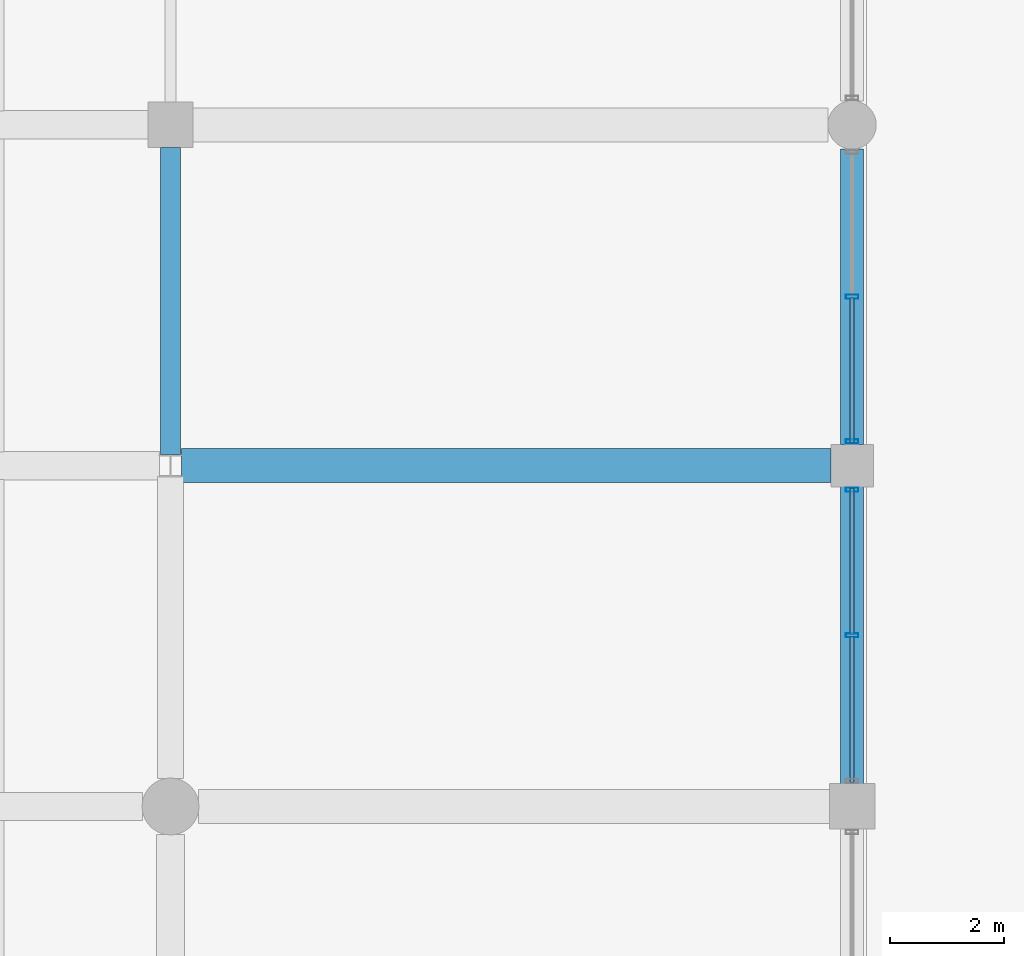
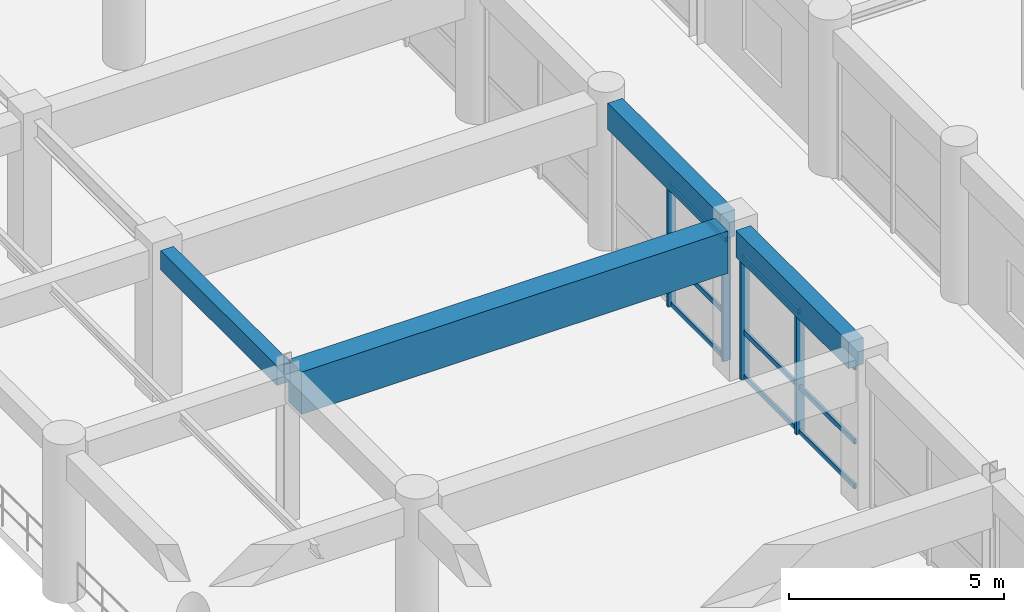
# One storey, part 62 of 133: 13 members, 4 beams, 2 elements without a shape of their own.
"""IFC4 building model written with IfcOpenShell, lengths in metres."""

from ifc_helpers import new_model, si_unit, direction, frame, origin, origin_2d, place, context, subcontext, project, spatial, rectangle, hollow_rectangle, extrude, material, material_profile, profile_set, type_object, element, aggregate, save


model = new_model("IFC4")

# Units and contexts
model_context = context("Model", 3, precision=1e-05, world=origin(), true_north=direction((0.0, 1.0)))
body_context = subcontext(model_context, "Body", "Model", "MODEL_VIEW")
ifc_project = project(units=[si_unit("LENGTHUNIT", "METRE"), si_unit("AREAUNIT", "SQUARE_METRE"), si_unit("VOLUMEUNIT", "CUBIC_METRE"), si_unit("PLANEANGLEUNIT", "RADIAN"), si_unit("MASSUNIT", "GRAM", prefix="KILO"), si_unit("THERMODYNAMICTEMPERATUREUNIT", "KELVIN"), si_unit("POWERUNIT", "WATT")], contexts=[model_context])

# Site, building, storey
site_placement = place(None, origin())
site = spatial("IfcSite", under=ifc_project, at=site_placement, CompositionType="ELEMENT")
building_placement = place(site_placement, origin())
building = spatial("IfcBuilding", under=site, at=building_placement, Name="Phaisarnlok Congress Hotel", CompositionType="ELEMENT")
storey_placement = place(building_placement, frame((0.0, 0.0, 6.0)))
storey = spatial("IfcBuildingStorey", under=building, at=storey_placement, Name="L01", CompositionType="ELEMENT", Elevation=6.0)

# Beams
ifc_material_1 = material(Name="Concrete C40/50", Category="concrete")
ifc_material_profile_1 = material_profile(ifc_material_1, rectangle(XDim=0.35009765625, YDim=0.550048828125, at=origin_2d()), Name="RC 350x550")
ifc_profile_set_1 = profile_set([ifc_material_profile_1], Name="Concrete C40/50")
beam_type_1 = type_object("IfcBeamType", Name="BM-RC-350x550", PredefinedType="BEAM", material=ifc_profile_set_1)
beam_1_placement = place(storey_placement, frame((144.0, 60.194580078125, 3.945068359375), z_axis=(0.0, 1.0, 0.0), x_axis=(-1.0, 0.0, 0.0)))
element("IfcBeam", 1, at=beam_1_placement, inside=storey, type_object=beam_type_1, Name="Beam B-01", PredefinedType="BEAM", context=body_context, shape_type="SweptSolid", body=[
    extrude(rectangle(XDim=0.35009765625, YDim=0.550048828125, at=origin_2d()), origin(), (0.0, 0.0, 1.0), 5.410400390625),
])
ifc_material_2 = material(Name="Concrete C50/60", Category="concrete")
ifc_material_profile_2 = material_profile(ifc_material_2, rectangle(XDim=0.60009765625, YDim=1.199951171875, at=origin_2d()), Name="RC 600x1200")
ifc_profile_set_2 = profile_set([ifc_material_profile_2], Name="Concrete C50/60")
beam_type_2 = type_object("IfcBeamType", Name="BM-RC-600x1200", PredefinedType="BEAM", material=ifc_profile_set_2)
beam_2_placement = place(storey_placement, frame((144.195556640625, 60.0, 3.6201171875), z_axis=(1.0, 0.0, 0.0), x_axis=(0.0, 1.0, 0.0)))
element("IfcBeam", 2, at=beam_2_placement, inside=storey, type_object=beam_type_2, Name="Ramp bay 12m girder B-06", PredefinedType="BEAM", context=body_context, shape_type="SweptSolid", body=[
    extrude(rectangle(XDim=0.60009765625, YDim=1.199951171875, at=origin_2d()), origin(), (0.0, 0.0, 1.0), 11.434326171875),
])

# Curtain wall, members
ifc_material_3 = material(Name="Thermally Broken Unitised Aluminium & Low-E Glazing", Category="aluminium")
curtain_wall_type = type_object("IfcCurtainWallType", Name="CW-UNIT-15", PredefinedType="NOTDEFINED", material=ifc_material_3)
curtain_wall_1_placement = place(storey_placement, origin())
curtain_wall_1 = element("IfcCurtainWall", 3, at=curtain_wall_1_placement, inside=storey, type_object=curtain_wall_type, Name="Unitised curtain wall CW-15 (L01)", PredefinedType="NOTDEFINED")
ifc_material_4 = material(Name="Anodised Aluminium Alloy 6063-T6", Category="aluminium")
ifc_material_profile_3 = material_profile(ifc_material_4, hollow_rectangle(XDim=0.074951171875, YDim=0.219970703125, WallThickness=0.0048828125, at=origin_2d()), Name="ALU-M 75x220x5")
ifc_profile_set_3 = profile_set([ifc_material_profile_3], Name="Anodised Aluminium Alloy 6063-T6")
member_type_1 = type_object("IfcMemberType", Name="CWM-220", PredefinedType="MULLION", material=ifc_profile_set_3)
member_1_placement = place(storey_placement, frame((156.0, 57.012451171875, 0.0), z_axis=(0.0, 0.0, 1.0), x_axis=(0.0, 1.0, 0.0)))
member_1 = element("IfcMember", 4, at=member_1_placement, type_object=member_type_1, Name="Curtain wall mullion CWM-02", PredefinedType="MULLION", context=body_context, shape_type="SweptSolid", body=[
    extrude(hollow_rectangle(XDim=0.074951171875, YDim=0.219970703125, WallThickness=0.0048828125, at=origin_2d()), origin(), (0.0, 0.0, 1.0), 3.469970703125),
])
member_2_placement = place(storey_placement, frame((156.0, 59.574951171875, 0.0), z_axis=(0.0, 0.0, 1.0), x_axis=(0.0, 1.0, 0.0)))
member_2 = element("IfcMember", 5, at=member_2_placement, type_object=member_type_1, Name="Curtain wall mullion CWM-02", PredefinedType="MULLION", context=body_context, shape_type="SweptSolid", body=[
    extrude(hollow_rectangle(XDim=0.074951171875, YDim=0.219970703125, WallThickness=0.0048828125, at=origin_2d()), origin(), (0.0, 0.0, 1.0), 3.469970703125),
])

curtain_wall_2_placement = place(storey_placement, origin())
curtain_wall_2 = element("IfcCurtainWall", 6, at=curtain_wall_2_placement, inside=storey, type_object=curtain_wall_type, Name="Unitised curtain wall CW-15 (L01)", PredefinedType="NOTDEFINED")
member_3_placement = place(storey_placement, frame((156.0, 60.425048828125, 0.0), z_axis=(0.0, 0.0, 1.0), x_axis=(0.0, 1.0, 0.0)))
member_3 = element("IfcMember", 7, at=member_3_placement, type_object=member_type_1, Name="Curtain wall mullion CWM-02", PredefinedType="MULLION", context=body_context, shape_type="SweptSolid", body=[
    extrude(hollow_rectangle(XDim=0.074951171875, YDim=0.219970703125, WallThickness=0.0048828125, at=origin_2d()), origin(), (0.0, 0.0, 1.0), 3.469970703125),
])
member_4_placement = place(storey_placement, frame((156.0, 62.97509765625, 0.0), z_axis=(0.0, 0.0, 1.0), x_axis=(0.0, 1.0, 0.0)))
member_4 = element("IfcMember", 8, at=member_4_placement, type_object=member_type_1, Name="Curtain wall mullion CWM-02", PredefinedType="MULLION", context=body_context, shape_type="SweptSolid", body=[
    extrude(hollow_rectangle(XDim=0.074951171875, YDim=0.219970703125, WallThickness=0.0048828125, at=origin_2d()), origin(), (0.0, 0.0, 1.0), 3.469970703125),
])

# Member
ifc_material_profile_4 = material_profile(ifc_material_4, hollow_rectangle(XDim=0.06494140625, YDim=0.139892578125, WallThickness=0.00390625, at=origin_2d()), Name="ALU-T 65x140x4")
ifc_profile_set_4 = profile_set([ifc_material_profile_4], Name="Anodised Aluminium Alloy 6063-T6")
member_type_2 = type_object("IfcMemberType", Name="CWT-150", PredefinedType="USERDEFINED", material=ifc_profile_set_4)
member_5_placement = place(storey_placement, frame((156.0, 54.425048828125, 0.050048828125), z_axis=(0.0, 1.0, 0.0), x_axis=(-1.0, 0.0, 0.0)))
member_5 = element("IfcMember", 9, at=member_5_placement, type_object=member_type_2, Name="Curtain wall transom CWT-01", ObjectType="TRANSOM", PredefinedType="USERDEFINED", context=body_context, shape_type="SweptSolid", body=[
    extrude(hollow_rectangle(XDim=0.06494140625, YDim=0.139892578125, WallThickness=0.00390625, at=origin_2d()), origin(), (0.0, 0.0, 1.0), 2.572509765625),
])

member_6_placement = place(storey_placement, frame((156.0, 54.425048828125, 1.318603515625), z_axis=(0.0, 1.0, 0.0), x_axis=(-1.0, 0.0, 0.0)))
member_6 = element("IfcMember", 10, at=member_6_placement, type_object=member_type_2, Name="Curtain wall transom CWT-01", ObjectType="TRANSOM", PredefinedType="USERDEFINED", context=body_context, shape_type="SweptSolid", body=[
    extrude(hollow_rectangle(XDim=0.06494140625, YDim=0.139892578125, WallThickness=0.00390625, at=origin_2d()), origin(), (0.0, 0.0, 1.0), 2.572509765625),
])

member_7_placement = place(storey_placement, frame((156.0, 54.425048828125, 3.419921875), z_axis=(0.0, 1.0, 0.0), x_axis=(-1.0, 0.0, 0.0)))
member_7 = element("IfcMember", 11, at=member_7_placement, type_object=member_type_2, Name="Curtain wall transom CWT-01", ObjectType="TRANSOM", PredefinedType="USERDEFINED", context=body_context, shape_type="SweptSolid", body=[
    extrude(hollow_rectangle(XDim=0.06494140625, YDim=0.139892578125, WallThickness=0.00390625, at=origin_2d()), origin(), (0.0, 0.0, 1.0), 2.572509765625),
])

member_8_placement = place(storey_placement, frame((156.0, 57.027587890625, 0.050048828125), z_axis=(0.0, 1.0, 0.0), x_axis=(-1.0, 0.0, 0.0)))
member_8 = element("IfcMember", 12, at=member_8_placement, type_object=member_type_2, Name="Curtain wall transom CWT-01", ObjectType="TRANSOM", PredefinedType="USERDEFINED", context=body_context, shape_type="SweptSolid", body=[
    extrude(hollow_rectangle(XDim=0.06494140625, YDim=0.139892578125, WallThickness=0.00390625, at=origin_2d()), origin(), (0.0, 0.0, 1.0), 2.572509765625),
])

member_9_placement = place(storey_placement, frame((156.0, 57.027587890625, 1.318603515625), z_axis=(0.0, 1.0, 0.0), x_axis=(-1.0, 0.0, 0.0)))
member_9 = element("IfcMember", 13, at=member_9_placement, type_object=member_type_2, Name="Curtain wall transom CWT-01", ObjectType="TRANSOM", PredefinedType="USERDEFINED", context=body_context, shape_type="SweptSolid", body=[
    extrude(hollow_rectangle(XDim=0.06494140625, YDim=0.139892578125, WallThickness=0.00390625, at=origin_2d()), origin(), (0.0, 0.0, 1.0), 2.572509765625),
])

member_10_placement = place(storey_placement, frame((156.0, 57.027587890625, 3.419921875), z_axis=(0.0, 1.0, 0.0), x_axis=(-1.0, 0.0, 0.0)))
member_10 = element("IfcMember", 14, at=member_10_placement, type_object=member_type_2, Name="Curtain wall transom CWT-01", ObjectType="TRANSOM", PredefinedType="USERDEFINED", context=body_context, shape_type="SweptSolid", body=[
    extrude(hollow_rectangle(XDim=0.06494140625, YDim=0.139892578125, WallThickness=0.00390625, at=origin_2d()), origin(), (0.0, 0.0, 1.0), 2.572509765625),
])

aggregate(curtain_wall_1, [member_1, member_2, member_5, member_6, member_7, member_8, member_9, member_10])

member_11_placement = place(storey_placement, frame((156.0, 60.39990234375, 0.050048828125), z_axis=(0.0, 1.0, 0.0), x_axis=(-1.0, 0.0, 0.0)))
member_11 = element("IfcMember", 15, at=member_11_placement, type_object=member_type_2, Name="Curtain wall transom CWT-01", ObjectType="TRANSOM", PredefinedType="USERDEFINED", context=body_context, shape_type="SweptSolid", body=[
    extrude(hollow_rectangle(XDim=0.06494140625, YDim=0.139892578125, WallThickness=0.00390625, at=origin_2d()), origin(), (0.0, 0.0, 1.0), 2.56005859375),
])

member_12_placement = place(storey_placement, frame((156.0, 60.39990234375, 1.318603515625), z_axis=(0.0, 1.0, 0.0), x_axis=(-1.0, 0.0, 0.0)))
member_12 = element("IfcMember", 16, at=member_12_placement, type_object=member_type_2, Name="Curtain wall transom CWT-01", ObjectType="TRANSOM", PredefinedType="USERDEFINED", context=body_context, shape_type="SweptSolid", body=[
    extrude(hollow_rectangle(XDim=0.06494140625, YDim=0.139892578125, WallThickness=0.00390625, at=origin_2d()), origin(), (0.0, 0.0, 1.0), 2.56005859375),
])

member_13_placement = place(storey_placement, frame((156.0, 60.39990234375, 3.419921875), z_axis=(0.0, 1.0, 0.0), x_axis=(-1.0, 0.0, 0.0)))
member_13 = element("IfcMember", 17, at=member_13_placement, type_object=member_type_2, Name="Curtain wall transom CWT-01", ObjectType="TRANSOM", PredefinedType="USERDEFINED", context=body_context, shape_type="SweptSolid", body=[
    extrude(hollow_rectangle(XDim=0.06494140625, YDim=0.139892578125, WallThickness=0.00390625, at=origin_2d()), origin(), (0.0, 0.0, 1.0), 2.56005859375),
])

aggregate(curtain_wall_2, [member_3, member_4, member_11, member_12, member_13])

# Beams
ifc_material_profile_5 = material_profile(ifc_material_1, rectangle(XDim=0.39990234375, YDim=0.75, at=origin_2d()), Name="RC 400x750")
ifc_profile_set_5 = profile_set([ifc_material_profile_5], Name="Concrete C40/50")
beam_type_3 = type_object("IfcBeamType", Name="SP-RC-400x750", PredefinedType="SPANDREL", material=ifc_profile_set_5)
beam_3_placement = place(storey_placement, frame((156.0, 54.39501953125, 3.844970703125), z_axis=(0.0, 1.0, 0.0), x_axis=(-1.0, 0.0, 0.0)))
element("IfcBeam", 18, at=beam_3_placement, inside=storey, type_object=beam_type_3, Name="Beam SP-02", PredefinedType="SPANDREL", context=body_context, shape_type="SweptSolid", body=[
    extrude(rectangle(XDim=0.39990234375, YDim=0.75, at=origin_2d()), origin(), (0.0, 0.0, 1.0), 5.23486328125),
])
beam_4_placement = place(storey_placement, frame((156.0, 60.3701171875, 3.844970703125), z_axis=(0.0, 1.0, 0.0), x_axis=(-1.0, 0.0, 0.0)))
element("IfcBeam", 19, at=beam_4_placement, inside=storey, type_object=beam_type_3, Name="Beam SP-02", PredefinedType="SPANDREL", context=body_context, shape_type="SweptSolid", body=[
    extrude(rectangle(XDim=0.39990234375, YDim=0.75, at=origin_2d()), origin(), (0.0, 0.0, 1.0), 5.2099609375),
])

save(model, "model.ifc")
